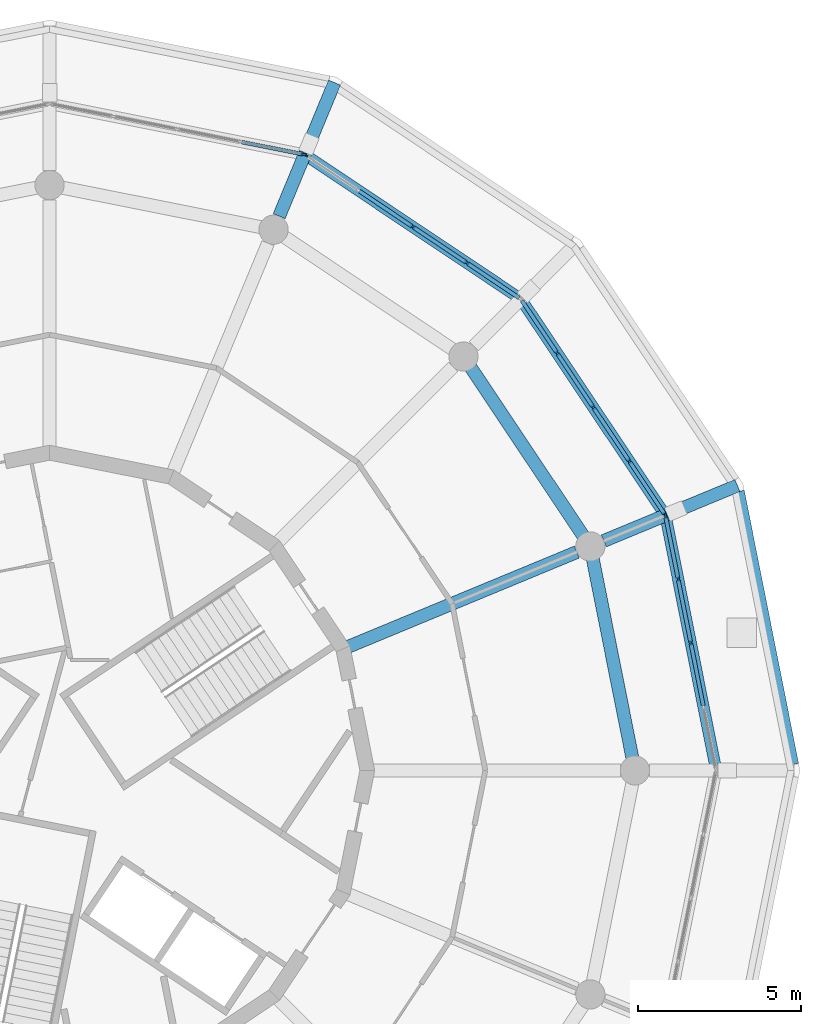
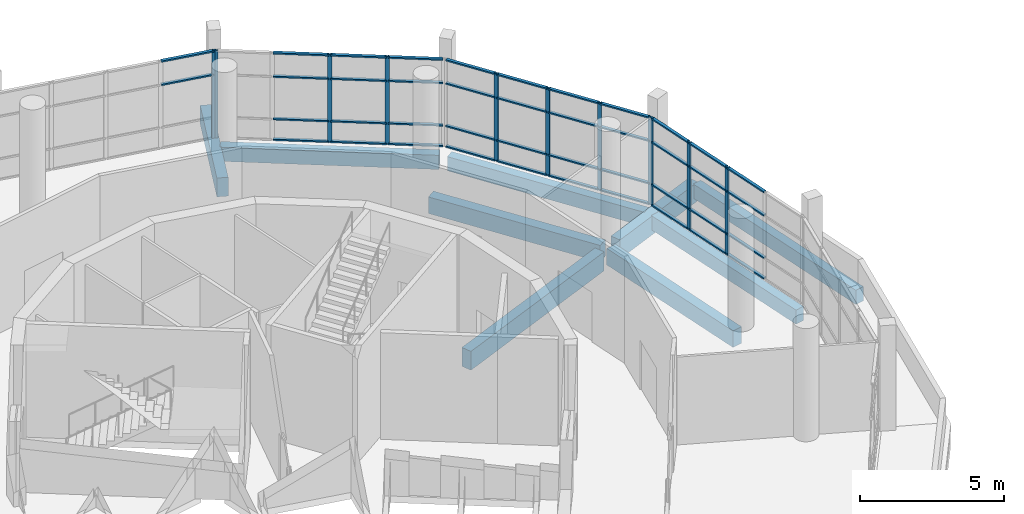
# One storey, part 10 of 21: 53 members, 9 beams, 4 elements without a shape of their own.
"""IFC4 building model written with IfcOpenShell, lengths in metres."""

from ifc_helpers import new_model, si_unit, direction, frame, origin, origin_2d, place, context, subcontext, project, spatial, rectangle, extrude, material, material_profile, profile_set, type_object, element, aggregate, save


model = new_model("IFC4")

# Units and contexts
model_context = context("Model", 3, precision=1e-05, world=origin(), true_north=direction((0.0, 1.0)))
body_context = subcontext(model_context, "Body", "Model", "MODEL_VIEW")
ifc_project = project(units=[si_unit("LENGTHUNIT", "METRE"), si_unit("AREAUNIT", "SQUARE_METRE"), si_unit("VOLUMEUNIT", "CUBIC_METRE"), si_unit("PLANEANGLEUNIT", "RADIAN"), si_unit("MASSUNIT", "GRAM", prefix="KILO")], contexts=[model_context])

# Site, building, storey
site_placement = place(None, origin())
site = spatial("IfcSite", under=ifc_project, at=site_placement, CompositionType="ELEMENT")
building_placement = place(site_placement, origin())
building = spatial("IfcBuilding", under=site, at=building_placement, Name="Ceibo Conservatory and Research Tower", CompositionType="ELEMENT")
storey_placement = place(building_placement, frame((0.0, 0.0, 15.60009765625)))
storey = spatial("IfcBuildingStorey", under=building, at=storey_placement, Name="L03", CompositionType="ELEMENT", Elevation=15.60009765625)

# Curtain wall, members
ifc_material_1 = material(Name="Aluminium and glass", Category="aluminium")
curtain_wall_type = type_object("IfcCurtainWallType", Name="Curtain wall CW1", PredefinedType="NOTDEFINED", material=ifc_material_1)
curtain_wall_1_placement = place(storey_placement, origin())
curtain_wall_1 = element("IfcCurtainWall", 1, at=curtain_wall_1_placement, inside=storey, type_object=curtain_wall_type, Name="CW-03.01", PredefinedType="NOTDEFINED")
ifc_material_2 = material(Name="Aluminium", Category="aluminium")
ifc_material_profile_1 = material_profile(ifc_material_2, rectangle(XDim=0.06005859375, YDim=0.159912109375, at=origin_2d()), Name="Aluminium 60 x 160")
ifc_profile_set_1 = profile_set([ifc_material_profile_1], Name="Aluminium")
member_type_1 = type_object("IfcMemberType", Name="Aluminium mullion 60 x 160", PredefinedType="MULLION", material=ifc_profile_set_1)
member_1_placement = place(storey_placement, frame((67.7197265625, 123.922607421875, 0.0), z_axis=(0.0, 0.0, 1.0), x_axis=(-0.980785268711, -0.195090380799, 0.0)))
member_1 = element("IfcMember", 2, at=member_1_placement, type_object=member_type_1, Name="CW-03.01 mullion 3", PredefinedType="MULLION", context=body_context, shape_type="SweptSolid", body=[
    extrude(rectangle(XDim=0.06005859375, YDim=0.159912109375, at=origin_2d()), origin(), (0.0, 0.0, 1.0), 3.719970703125),
])
member_2_placement = place(storey_placement, frame((67.32958984375, 125.8837890625, 0.0), z_axis=(0.0, 0.0, 1.0), x_axis=(-0.980785268711, -0.195090380799, 0.0)))
member_2 = element("IfcMember", 3, at=member_2_placement, type_object=member_type_1, Name="CW-03.01 mullion 4", PredefinedType="MULLION", context=body_context, shape_type="SweptSolid", body=[
    extrude(rectangle(XDim=0.06005859375, YDim=0.159912109375, at=origin_2d()), origin(), (0.0, 0.0, 1.0), 3.719970703125),
])
member_3_placement = place(storey_placement, frame((66.9453125, 127.815673828125, 0.0), z_axis=(0.0, 0.0, 1.0), x_axis=(-0.980785268711, -0.195090380799, 0.0)))
member_3 = element("IfcMember", 4, at=member_3_placement, type_object=member_type_1, Name="CW-03.01 mullion 5", PredefinedType="MULLION", context=body_context, shape_type="SweptSolid", body=[
    extrude(rectangle(XDim=0.06005859375, YDim=0.159912109375, at=origin_2d()), origin(), (0.0, 0.0, 1.0), 3.719970703125),
])

curtain_wall_2_placement = place(storey_placement, origin())
curtain_wall_2 = element("IfcCurtainWall", 5, at=curtain_wall_2_placement, inside=storey, type_object=curtain_wall_type, Name="CW-03.02", PredefinedType="NOTDEFINED")
member_4_placement = place(storey_placement, frame((66.9228515625, 127.869873046875, 0.0), z_axis=(0.0, 0.0, 1.0), x_axis=(-0.831469649004, -0.555570178092, 0.0)))
member_4 = element("IfcMember", 6, at=member_4_placement, type_object=member_type_1, Name="CW-03.02 mullion 1", PredefinedType="MULLION", context=body_context, shape_type="SweptSolid", body=[
    extrude(rectangle(XDim=0.06005859375, YDim=0.159912109375, at=origin_2d()), origin(), (0.0, 0.0, 1.0), 3.719970703125),
])
member_5_placement = place(storey_placement, frame((65.82861328125, 129.507568359375, 0.0), z_axis=(0.0, 0.0, 1.0), x_axis=(-0.831469649004, -0.555570178092, 0.0)))
member_5 = element("IfcMember", 7, at=member_5_placement, type_object=member_type_1, Name="CW-03.02 mullion 2", PredefinedType="MULLION", context=body_context, shape_type="SweptSolid", body=[
    extrude(rectangle(XDim=0.06005859375, YDim=0.159912109375, at=origin_2d()), origin(), (0.0, 0.0, 1.0), 3.719970703125),
])
member_6_placement = place(storey_placement, frame((64.717529296875, 131.17041015625, 0.0), z_axis=(0.0, 0.0, 1.0), x_axis=(-0.831469649004, -0.555570178092, 0.0)))
member_6 = element("IfcMember", 8, at=member_6_placement, type_object=member_type_1, Name="CW-03.02 mullion 3", PredefinedType="MULLION", context=body_context, shape_type="SweptSolid", body=[
    extrude(rectangle(XDim=0.06005859375, YDim=0.159912109375, at=origin_2d()), origin(), (0.0, 0.0, 1.0), 3.719970703125),
])
member_7_placement = place(storey_placement, frame((63.606689453125, 132.8330078125, 0.0), z_axis=(0.0, 0.0, 1.0), x_axis=(-0.831469649004, -0.555570178092, 0.0)))
member_7 = element("IfcMember", 9, at=member_7_placement, type_object=member_type_1, Name="CW-03.02 mullion 4", PredefinedType="MULLION", context=body_context, shape_type="SweptSolid", body=[
    extrude(rectangle(XDim=0.06005859375, YDim=0.159912109375, at=origin_2d()), origin(), (0.0, 0.0, 1.0), 3.719970703125),
])

curtain_wall_3_placement = place(storey_placement, origin())
curtain_wall_3 = element("IfcCurtainWall", 10, at=curtain_wall_3_placement, inside=storey, type_object=curtain_wall_type, Name="CW-03.03", PredefinedType="NOTDEFINED")
member_8_placement = place(storey_placement, frame((60.8330078125, 135.606689453125, 0.0), z_axis=(0.0, 0.0, 1.0), x_axis=(-0.555570178092, -0.831469649004, 0.0)))
member_8 = element("IfcMember", 11, at=member_8_placement, type_object=member_type_1, Name="CW-03.03 mullion 2", PredefinedType="MULLION", context=body_context, shape_type="SweptSolid", body=[
    extrude(rectangle(XDim=0.06005859375, YDim=0.159912109375, at=origin_2d()), origin(), (0.0, 0.0, 1.0), 3.719970703125),
])
member_9_placement = place(storey_placement, frame((59.17041015625, 136.717529296875, 0.0), z_axis=(0.0, 0.0, 1.0), x_axis=(-0.555570178092, -0.831469649004, 0.0)))
member_9 = element("IfcMember", 12, at=member_9_placement, type_object=member_type_1, Name="CW-03.03 mullion 3", PredefinedType="MULLION", context=body_context, shape_type="SweptSolid", body=[
    extrude(rectangle(XDim=0.06005859375, YDim=0.159912109375, at=origin_2d()), origin(), (0.0, 0.0, 1.0), 3.719970703125),
])
member_10_placement = place(storey_placement, frame((55.869873046875, 138.9228515625, 0.0), z_axis=(0.0, 0.0, 1.0), x_axis=(-0.555570178092, -0.831469649004, 0.0)))
member_10 = element("IfcMember", 13, at=member_10_placement, type_object=member_type_1, Name="CW-03.03 mullion 5", PredefinedType="MULLION", context=body_context, shape_type="SweptSolid", body=[
    extrude(rectangle(XDim=0.06005859375, YDim=0.159912109375, at=origin_2d()), origin(), (0.0, 0.0, 1.0), 3.719970703125),
])

# Curtain wall, member
curtain_wall_4_placement = place(storey_placement, origin())
curtain_wall_4 = element("IfcCurtainWall", 14, at=curtain_wall_4_placement, inside=storey, type_object=curtain_wall_type, Name="CW-03.04", PredefinedType="NOTDEFINED")
member_11_placement = place(storey_placement, frame((55.815673828125, 138.9453125, 0.0), z_axis=(0.0, 0.0, 1.0), x_axis=(-0.195090380799, -0.980785268711, 0.0)))
member_11 = element("IfcMember", 15, at=member_11_placement, type_object=member_type_1, Name="CW-03.04 mullion 1", PredefinedType="MULLION", context=body_context, shape_type="SweptSolid", body=[
    extrude(rectangle(XDim=0.06005859375, YDim=0.159912109375, at=origin_2d()), origin(), (0.0, 0.0, 1.0), 3.719970703125),
])

# Member
ifc_material_profile_2 = material_profile(ifc_material_2, rectangle(XDim=0.1201171875, YDim=0.06005859375, at=origin_2d()), Name="Aluminium 60 x 120")
ifc_profile_set_2 = profile_set([ifc_material_profile_2], Name="Aluminium")
member_type_2 = type_object("IfcMemberType", Name="Aluminium transom 60 x 120", PredefinedType="USERDEFINED", material=ifc_profile_set_2)
member_12_placement = place(storey_placement, frame((68.10400390625, 121.99072265625, 0.02978515625), z_axis=(-0.195099382826, 0.980783478053, 0.0), x_axis=(-0.980783478053, -0.195099382826, 0.0)))
member_12 = element("IfcMember", 16, at=member_12_placement, type_object=member_type_2, Name="CW-03.01 transom 2.1", ObjectType="TRANSOM", PredefinedType="USERDEFINED", context=body_context, shape_type="SweptSolid", body=[
    extrude(rectangle(XDim=0.1201171875, YDim=0.06005859375, at=origin_2d()), origin(), (0.0, 0.0, 1.0), 1.939697265625),
])

member_13_placement = place(storey_placement, frame((68.10400390625, 121.99072265625, 0.89990234375), z_axis=(-0.195099382826, 0.980783478053, 0.0), x_axis=(-0.980783478053, -0.195099382826, 0.0)))
member_13 = element("IfcMember", 17, at=member_13_placement, type_object=member_type_2, Name="CW-03.01 transom 2.2", ObjectType="TRANSOM", PredefinedType="USERDEFINED", context=body_context, shape_type="SweptSolid", body=[
    extrude(rectangle(XDim=0.1201171875, YDim=0.06005859375, at=origin_2d()), origin(), (0.0, 0.0, 1.0), 1.939697265625),
])

member_14_placement = place(storey_placement, frame((68.10400390625, 121.99072265625, 2.699951171875), z_axis=(-0.195099382826, 0.980783478053, 0.0), x_axis=(-0.980783478053, -0.195099382826, 0.0)))
member_14 = element("IfcMember", 18, at=member_14_placement, type_object=member_type_2, Name="CW-03.01 transom 2.3", ObjectType="TRANSOM", PredefinedType="USERDEFINED", context=body_context, shape_type="SweptSolid", body=[
    extrude(rectangle(XDim=0.1201171875, YDim=0.06005859375, at=origin_2d()), origin(), (0.0, 0.0, 1.0), 1.939697265625),
])

member_15_placement = place(storey_placement, frame((68.10400390625, 121.99072265625, 3.68994140625), z_axis=(-0.195099382826, 0.980783478053, 0.0), x_axis=(-0.980783478053, -0.195099382826, 0.0)))
member_15 = element("IfcMember", 19, at=member_15_placement, type_object=member_type_2, Name="CW-03.01 transom 2.4", ObjectType="TRANSOM", PredefinedType="USERDEFINED", context=body_context, shape_type="SweptSolid", body=[
    extrude(rectangle(XDim=0.1201171875, YDim=0.06005859375, at=origin_2d()), origin(), (0.0, 0.0, 1.0), 1.939697265625),
])

member_16_placement = place(storey_placement, frame((67.7138671875, 123.951904296875, 0.02978515625), z_axis=(-0.195099382826, 0.980783478053, 0.0), x_axis=(-0.980783478053, -0.195099382826, 0.0)))
member_16 = element("IfcMember", 20, at=member_16_placement, type_object=member_type_2, Name="CW-03.01 transom 3.1", ObjectType="TRANSOM", PredefinedType="USERDEFINED", context=body_context, shape_type="SweptSolid", body=[
    extrude(rectangle(XDim=0.1201171875, YDim=0.06005859375, at=origin_2d()), origin(), (0.0, 0.0, 1.0), 1.939697265625),
])

member_17_placement = place(storey_placement, frame((67.7138671875, 123.951904296875, 0.89990234375), z_axis=(-0.195099382826, 0.980783478053, 0.0), x_axis=(-0.980783478053, -0.195099382826, 0.0)))
member_17 = element("IfcMember", 21, at=member_17_placement, type_object=member_type_2, Name="CW-03.01 transom 3.2", ObjectType="TRANSOM", PredefinedType="USERDEFINED", context=body_context, shape_type="SweptSolid", body=[
    extrude(rectangle(XDim=0.1201171875, YDim=0.06005859375, at=origin_2d()), origin(), (0.0, 0.0, 1.0), 1.939697265625),
])

member_18_placement = place(storey_placement, frame((67.7138671875, 123.951904296875, 2.699951171875), z_axis=(-0.195099382826, 0.980783478053, 0.0), x_axis=(-0.980783478053, -0.195099382826, 0.0)))
member_18 = element("IfcMember", 22, at=member_18_placement, type_object=member_type_2, Name="CW-03.01 transom 3.3", ObjectType="TRANSOM", PredefinedType="USERDEFINED", context=body_context, shape_type="SweptSolid", body=[
    extrude(rectangle(XDim=0.1201171875, YDim=0.06005859375, at=origin_2d()), origin(), (0.0, 0.0, 1.0), 1.939697265625),
])

member_19_placement = place(storey_placement, frame((67.7138671875, 123.951904296875, 3.68994140625), z_axis=(-0.195099382826, 0.980783478053, 0.0), x_axis=(-0.980783478053, -0.195099382826, 0.0)))
member_19 = element("IfcMember", 23, at=member_19_placement, type_object=member_type_2, Name="CW-03.01 transom 3.4", ObjectType="TRANSOM", PredefinedType="USERDEFINED", context=body_context, shape_type="SweptSolid", body=[
    extrude(rectangle(XDim=0.1201171875, YDim=0.06005859375, at=origin_2d()), origin(), (0.0, 0.0, 1.0), 1.939697265625),
])

member_20_placement = place(storey_placement, frame((67.32373046875, 125.9130859375, 0.02978515625), z_axis=(-0.195083474499, 0.980786642434, 0.0), x_axis=(-0.980786642434, -0.195083474499, 0.0)))
member_20 = element("IfcMember", 24, at=member_20_placement, type_object=member_type_2, Name="CW-03.01 transom 4.1", ObjectType="TRANSOM", PredefinedType="USERDEFINED", context=body_context, shape_type="SweptSolid", body=[
    extrude(rectangle(XDim=0.1201171875, YDim=0.06005859375, at=origin_2d()), origin(), (0.0, 0.0, 1.0), 1.90966796875),
])

member_21_placement = place(storey_placement, frame((67.32373046875, 125.9130859375, 0.89990234375), z_axis=(-0.195083474499, 0.980786642434, 0.0), x_axis=(-0.980786642434, -0.195083474499, 0.0)))
member_21 = element("IfcMember", 25, at=member_21_placement, type_object=member_type_2, Name="CW-03.01 transom 4.2", ObjectType="TRANSOM", PredefinedType="USERDEFINED", context=body_context, shape_type="SweptSolid", body=[
    extrude(rectangle(XDim=0.1201171875, YDim=0.06005859375, at=origin_2d()), origin(), (0.0, 0.0, 1.0), 1.90966796875),
])

member_22_placement = place(storey_placement, frame((67.32373046875, 125.9130859375, 2.699951171875), z_axis=(-0.195083474499, 0.980786642434, 0.0), x_axis=(-0.980786642434, -0.195083474499, 0.0)))
member_22 = element("IfcMember", 26, at=member_22_placement, type_object=member_type_2, Name="CW-03.01 transom 4.3", ObjectType="TRANSOM", PredefinedType="USERDEFINED", context=body_context, shape_type="SweptSolid", body=[
    extrude(rectangle(XDim=0.1201171875, YDim=0.06005859375, at=origin_2d()), origin(), (0.0, 0.0, 1.0), 1.90966796875),
])

member_23_placement = place(storey_placement, frame((67.32373046875, 125.9130859375, 3.68994140625), z_axis=(-0.195083474499, 0.980786642434, 0.0), x_axis=(-0.980786642434, -0.195083474499, 0.0)))
member_23 = element("IfcMember", 27, at=member_23_placement, type_object=member_type_2, Name="CW-03.01 transom 4.4", ObjectType="TRANSOM", PredefinedType="USERDEFINED", context=body_context, shape_type="SweptSolid", body=[
    extrude(rectangle(XDim=0.1201171875, YDim=0.06005859375, at=origin_2d()), origin(), (0.0, 0.0, 1.0), 1.90966796875),
])

aggregate(curtain_wall_1, [member_1, member_2, member_3, member_12, member_13, member_14, member_15, member_16, member_17, member_18, member_19, member_20, member_21, member_22, member_23])

member_24_placement = place(storey_placement, frame((66.90625, 127.89501953125, 0.02978515625), z_axis=(-0.555643975577, 0.831420334371, 0.0), x_axis=(-0.831420334371, -0.555643975577, 0.0)))
member_24 = element("IfcMember", 28, at=member_24_placement, type_object=member_type_2, Name="CW-03.02 transom 1.1", ObjectType="TRANSOM", PredefinedType="USERDEFINED", context=body_context, shape_type="SweptSolid", body=[
    extrude(rectangle(XDim=0.1201171875, YDim=0.06005859375, at=origin_2d()), origin(), (0.0, 0.0, 1.0), 1.90966796875),
])

member_25_placement = place(storey_placement, frame((66.90625, 127.89501953125, 0.89990234375), z_axis=(-0.555643975577, 0.831420334371, 0.0), x_axis=(-0.831420334371, -0.555643975577, 0.0)))
member_25 = element("IfcMember", 29, at=member_25_placement, type_object=member_type_2, Name="CW-03.02 transom 1.2", ObjectType="TRANSOM", PredefinedType="USERDEFINED", context=body_context, shape_type="SweptSolid", body=[
    extrude(rectangle(XDim=0.1201171875, YDim=0.06005859375, at=origin_2d()), origin(), (0.0, 0.0, 1.0), 1.90966796875),
])

member_26_placement = place(storey_placement, frame((66.90625, 127.89501953125, 2.699951171875), z_axis=(-0.555643975577, 0.831420334371, 0.0), x_axis=(-0.831420334371, -0.555643975577, 0.0)))
member_26 = element("IfcMember", 30, at=member_26_placement, type_object=member_type_2, Name="CW-03.02 transom 1.3", ObjectType="TRANSOM", PredefinedType="USERDEFINED", context=body_context, shape_type="SweptSolid", body=[
    extrude(rectangle(XDim=0.1201171875, YDim=0.06005859375, at=origin_2d()), origin(), (0.0, 0.0, 1.0), 1.90966796875),
])

member_27_placement = place(storey_placement, frame((66.90625, 127.89501953125, 3.68994140625), z_axis=(-0.555643975577, 0.831420334371, 0.0), x_axis=(-0.831420334371, -0.555643975577, 0.0)))
member_27 = element("IfcMember", 31, at=member_27_placement, type_object=member_type_2, Name="CW-03.02 transom 1.4", ObjectType="TRANSOM", PredefinedType="USERDEFINED", context=body_context, shape_type="SweptSolid", body=[
    extrude(rectangle(XDim=0.1201171875, YDim=0.06005859375, at=origin_2d()), origin(), (0.0, 0.0, 1.0), 1.90966796875),
])

member_28_placement = place(storey_placement, frame((65.81201171875, 129.53271484375, 0.02978515625), z_axis=(-0.55557127007, 0.831468919367, 0.0), x_axis=(-0.831468919367, -0.55557127007, 0.0)))
member_28 = element("IfcMember", 32, at=member_28_placement, type_object=member_type_2, Name="CW-03.02 transom 2.1", ObjectType="TRANSOM", PredefinedType="USERDEFINED", context=body_context, shape_type="SweptSolid", body=[
    extrude(rectangle(XDim=0.1201171875, YDim=0.06005859375, at=origin_2d()), origin(), (0.0, 0.0, 1.0), 1.939697265625),
])

member_29_placement = place(storey_placement, frame((65.81201171875, 129.53271484375, 0.89990234375), z_axis=(-0.55557127007, 0.831468919367, 0.0), x_axis=(-0.831468919367, -0.55557127007, 0.0)))
member_29 = element("IfcMember", 33, at=member_29_placement, type_object=member_type_2, Name="CW-03.02 transom 2.2", ObjectType="TRANSOM", PredefinedType="USERDEFINED", context=body_context, shape_type="SweptSolid", body=[
    extrude(rectangle(XDim=0.1201171875, YDim=0.06005859375, at=origin_2d()), origin(), (0.0, 0.0, 1.0), 1.939697265625),
])

member_30_placement = place(storey_placement, frame((65.81201171875, 129.53271484375, 2.699951171875), z_axis=(-0.55557127007, 0.831468919367, 0.0), x_axis=(-0.831468919367, -0.55557127007, 0.0)))
member_30 = element("IfcMember", 34, at=member_30_placement, type_object=member_type_2, Name="CW-03.02 transom 2.3", ObjectType="TRANSOM", PredefinedType="USERDEFINED", context=body_context, shape_type="SweptSolid", body=[
    extrude(rectangle(XDim=0.1201171875, YDim=0.06005859375, at=origin_2d()), origin(), (0.0, 0.0, 1.0), 1.939697265625),
])

member_31_placement = place(storey_placement, frame((65.81201171875, 129.53271484375, 3.68994140625), z_axis=(-0.55557127007, 0.831468919367, 0.0), x_axis=(-0.831468919367, -0.55557127007, 0.0)))
member_31 = element("IfcMember", 35, at=member_31_placement, type_object=member_type_2, Name="CW-03.02 transom 2.4", ObjectType="TRANSOM", PredefinedType="USERDEFINED", context=body_context, shape_type="SweptSolid", body=[
    extrude(rectangle(XDim=0.1201171875, YDim=0.06005859375, at=origin_2d()), origin(), (0.0, 0.0, 1.0), 1.939697265625),
])

member_32_placement = place(storey_placement, frame((64.700927734375, 131.1953125, 0.02978515625), z_axis=(-0.55557127007, 0.831468919367, 0.0), x_axis=(-0.831468919367, -0.55557127007, 0.0)))
member_32 = element("IfcMember", 36, at=member_32_placement, type_object=member_type_2, Name="CW-03.02 transom 3.1", ObjectType="TRANSOM", PredefinedType="USERDEFINED", context=body_context, shape_type="SweptSolid", body=[
    extrude(rectangle(XDim=0.1201171875, YDim=0.06005859375, at=origin_2d()), origin(), (0.0, 0.0, 1.0), 1.939697265625),
])

member_33_placement = place(storey_placement, frame((64.700927734375, 131.1953125, 0.89990234375), z_axis=(-0.55557127007, 0.831468919367, 0.0), x_axis=(-0.831468919367, -0.55557127007, 0.0)))
member_33 = element("IfcMember", 37, at=member_33_placement, type_object=member_type_2, Name="CW-03.02 transom 3.2", ObjectType="TRANSOM", PredefinedType="USERDEFINED", context=body_context, shape_type="SweptSolid", body=[
    extrude(rectangle(XDim=0.1201171875, YDim=0.06005859375, at=origin_2d()), origin(), (0.0, 0.0, 1.0), 1.939697265625),
])

member_34_placement = place(storey_placement, frame((64.700927734375, 131.1953125, 2.699951171875), z_axis=(-0.55557127007, 0.831468919367, 0.0), x_axis=(-0.831468919367, -0.55557127007, 0.0)))
member_34 = element("IfcMember", 38, at=member_34_placement, type_object=member_type_2, Name="CW-03.02 transom 3.3", ObjectType="TRANSOM", PredefinedType="USERDEFINED", context=body_context, shape_type="SweptSolid", body=[
    extrude(rectangle(XDim=0.1201171875, YDim=0.06005859375, at=origin_2d()), origin(), (0.0, 0.0, 1.0), 1.939697265625),
])

member_35_placement = place(storey_placement, frame((64.700927734375, 131.1953125, 3.68994140625), z_axis=(-0.55557127007, 0.831468919367, 0.0), x_axis=(-0.831468919367, -0.55557127007, 0.0)))
member_35 = element("IfcMember", 39, at=member_35_placement, type_object=member_type_2, Name="CW-03.02 transom 3.4", ObjectType="TRANSOM", PredefinedType="USERDEFINED", context=body_context, shape_type="SweptSolid", body=[
    extrude(rectangle(XDim=0.1201171875, YDim=0.06005859375, at=origin_2d()), origin(), (0.0, 0.0, 1.0), 1.939697265625),
])

member_36_placement = place(storey_placement, frame((63.590087890625, 132.85791015625, 0.02978515625), z_axis=(-0.555584916278, 0.831459801075, 0.0), x_axis=(-0.831459801075, -0.555584916278, 0.0)))
member_36 = element("IfcMember", 40, at=member_36_placement, type_object=member_type_2, Name="CW-03.02 transom 4.1", ObjectType="TRANSOM", PredefinedType="USERDEFINED", context=body_context, shape_type="SweptSolid", body=[
    extrude(rectangle(XDim=0.1201171875, YDim=0.06005859375, at=origin_2d()), origin(), (0.0, 0.0, 1.0), 1.90966796875),
])

member_37_placement = place(storey_placement, frame((63.590087890625, 132.85791015625, 0.89990234375), z_axis=(-0.555584916278, 0.831459801075, 0.0), x_axis=(-0.831459801075, -0.555584916278, 0.0)))
member_37 = element("IfcMember", 41, at=member_37_placement, type_object=member_type_2, Name="CW-03.02 transom 4.2", ObjectType="TRANSOM", PredefinedType="USERDEFINED", context=body_context, shape_type="SweptSolid", body=[
    extrude(rectangle(XDim=0.1201171875, YDim=0.06005859375, at=origin_2d()), origin(), (0.0, 0.0, 1.0), 1.90966796875),
])

member_38_placement = place(storey_placement, frame((63.590087890625, 132.85791015625, 2.699951171875), z_axis=(-0.555584916278, 0.831459801075, 0.0), x_axis=(-0.831459801075, -0.555584916278, 0.0)))
member_38 = element("IfcMember", 42, at=member_38_placement, type_object=member_type_2, Name="CW-03.02 transom 4.3", ObjectType="TRANSOM", PredefinedType="USERDEFINED", context=body_context, shape_type="SweptSolid", body=[
    extrude(rectangle(XDim=0.1201171875, YDim=0.06005859375, at=origin_2d()), origin(), (0.0, 0.0, 1.0), 1.90966796875),
])

member_39_placement = place(storey_placement, frame((63.590087890625, 132.85791015625, 3.68994140625), z_axis=(-0.555584916278, 0.831459801075, 0.0), x_axis=(-0.831459801075, -0.555584916278, 0.0)))
member_39 = element("IfcMember", 43, at=member_39_placement, type_object=member_type_2, Name="CW-03.02 transom 4.4", ObjectType="TRANSOM", PredefinedType="USERDEFINED", context=body_context, shape_type="SweptSolid", body=[
    extrude(rectangle(XDim=0.1201171875, YDim=0.06005859375, at=origin_2d()), origin(), (0.0, 0.0, 1.0), 1.90966796875),
])

aggregate(curtain_wall_2, [member_4, member_5, member_6, member_7, member_24, member_25, member_26, member_27, member_28, member_29, member_30, member_31, member_32, member_33, member_34, member_35, member_36, member_37, member_38, member_39])

member_40_placement = place(storey_placement, frame((62.44580078125, 134.529052734375, 0.02978515625), z_axis=(-0.831459801075, 0.555584916278, 0.0), x_axis=(-0.555584916278, -0.831459801075, 0.0)))
member_40 = element("IfcMember", 44, at=member_40_placement, type_object=member_type_2, Name="CW-03.03 transom 1.1", ObjectType="TRANSOM", PredefinedType="USERDEFINED", context=body_context, shape_type="SweptSolid", body=[
    extrude(rectangle(XDim=0.1201171875, YDim=0.06005859375, at=origin_2d()), origin(), (0.0, 0.0, 1.0), 1.90966796875),
])

member_41_placement = place(storey_placement, frame((62.44580078125, 134.529052734375, 0.89990234375), z_axis=(-0.831459801075, 0.555584916278, 0.0), x_axis=(-0.555584916278, -0.831459801075, 0.0)))
member_41 = element("IfcMember", 45, at=member_41_placement, type_object=member_type_2, Name="CW-03.03 transom 1.2", ObjectType="TRANSOM", PredefinedType="USERDEFINED", context=body_context, shape_type="SweptSolid", body=[
    extrude(rectangle(XDim=0.1201171875, YDim=0.06005859375, at=origin_2d()), origin(), (0.0, 0.0, 1.0), 1.90966796875),
])

member_42_placement = place(storey_placement, frame((62.44580078125, 134.529052734375, 2.699951171875), z_axis=(-0.831459801075, 0.555584916278, 0.0), x_axis=(-0.555584916278, -0.831459801075, 0.0)))
member_42 = element("IfcMember", 46, at=member_42_placement, type_object=member_type_2, Name="CW-03.03 transom 1.3", ObjectType="TRANSOM", PredefinedType="USERDEFINED", context=body_context, shape_type="SweptSolid", body=[
    extrude(rectangle(XDim=0.1201171875, YDim=0.06005859375, at=origin_2d()), origin(), (0.0, 0.0, 1.0), 1.90966796875),
])

member_43_placement = place(storey_placement, frame((62.44580078125, 134.529052734375, 3.68994140625), z_axis=(-0.831459801075, 0.555584916278, 0.0), x_axis=(-0.555584916278, -0.831459801075, 0.0)))
member_43 = element("IfcMember", 47, at=member_43_placement, type_object=member_type_2, Name="CW-03.03 transom 1.4", ObjectType="TRANSOM", PredefinedType="USERDEFINED", context=body_context, shape_type="SweptSolid", body=[
    extrude(rectangle(XDim=0.1201171875, YDim=0.06005859375, at=origin_2d()), origin(), (0.0, 0.0, 1.0), 1.90966796875),
])

member_44_placement = place(storey_placement, frame((60.80810546875, 135.623291015625, 0.02978515625), z_axis=(-0.831468919367, 0.55557127007, 0.0), x_axis=(-0.55557127007, -0.831468919367, 0.0)))
member_44 = element("IfcMember", 48, at=member_44_placement, type_object=member_type_2, Name="CW-03.03 transom 2.1", ObjectType="TRANSOM", PredefinedType="USERDEFINED", context=body_context, shape_type="SweptSolid", body=[
    extrude(rectangle(XDim=0.1201171875, YDim=0.06005859375, at=origin_2d()), origin(), (0.0, 0.0, 1.0), 1.939697265625),
])

member_45_placement = place(storey_placement, frame((60.80810546875, 135.623291015625, 0.89990234375), z_axis=(-0.831468919367, 0.55557127007, 0.0), x_axis=(-0.55557127007, -0.831468919367, 0.0)))
member_45 = element("IfcMember", 49, at=member_45_placement, type_object=member_type_2, Name="CW-03.03 transom 2.2", ObjectType="TRANSOM", PredefinedType="USERDEFINED", context=body_context, shape_type="SweptSolid", body=[
    extrude(rectangle(XDim=0.1201171875, YDim=0.06005859375, at=origin_2d()), origin(), (0.0, 0.0, 1.0), 1.939697265625),
])

member_46_placement = place(storey_placement, frame((60.80810546875, 135.623291015625, 2.699951171875), z_axis=(-0.831468919367, 0.55557127007, 0.0), x_axis=(-0.55557127007, -0.831468919367, 0.0)))
member_46 = element("IfcMember", 50, at=member_46_placement, type_object=member_type_2, Name="CW-03.03 transom 2.3", ObjectType="TRANSOM", PredefinedType="USERDEFINED", context=body_context, shape_type="SweptSolid", body=[
    extrude(rectangle(XDim=0.1201171875, YDim=0.06005859375, at=origin_2d()), origin(), (0.0, 0.0, 1.0), 1.939697265625),
])

member_47_placement = place(storey_placement, frame((60.80810546875, 135.623291015625, 3.68994140625), z_axis=(-0.831468919367, 0.55557127007, 0.0), x_axis=(-0.55557127007, -0.831468919367, 0.0)))
member_47 = element("IfcMember", 51, at=member_47_placement, type_object=member_type_2, Name="CW-03.03 transom 2.4", ObjectType="TRANSOM", PredefinedType="USERDEFINED", context=body_context, shape_type="SweptSolid", body=[
    extrude(rectangle(XDim=0.1201171875, YDim=0.06005859375, at=origin_2d()), origin(), (0.0, 0.0, 1.0), 1.939697265625),
])

member_48_placement = place(storey_placement, frame((59.1455078125, 136.734375, 0.02978515625), z_axis=(-0.831468919367, 0.55557127007, 0.0), x_axis=(-0.55557127007, -0.831468919367, 0.0)))
member_48 = element("IfcMember", 52, at=member_48_placement, type_object=member_type_2, Name="CW-03.03 transom 3.1", ObjectType="TRANSOM", PredefinedType="USERDEFINED", context=body_context, shape_type="SweptSolid", body=[
    extrude(rectangle(XDim=0.1201171875, YDim=0.06005859375, at=origin_2d()), origin(), (0.0, 0.0, 1.0), 1.939697265625),
])

member_49_placement = place(storey_placement, frame((59.1455078125, 136.734375, 0.89990234375), z_axis=(-0.831468919367, 0.55557127007, 0.0), x_axis=(-0.55557127007, -0.831468919367, 0.0)))
member_49 = element("IfcMember", 53, at=member_49_placement, type_object=member_type_2, Name="CW-03.03 transom 3.2", ObjectType="TRANSOM", PredefinedType="USERDEFINED", context=body_context, shape_type="SweptSolid", body=[
    extrude(rectangle(XDim=0.1201171875, YDim=0.06005859375, at=origin_2d()), origin(), (0.0, 0.0, 1.0), 1.939697265625),
])

member_50_placement = place(storey_placement, frame((59.1455078125, 136.734375, 2.699951171875), z_axis=(-0.831468919367, 0.55557127007, 0.0), x_axis=(-0.55557127007, -0.831468919367, 0.0)))
member_50 = element("IfcMember", 54, at=member_50_placement, type_object=member_type_2, Name="CW-03.03 transom 3.3", ObjectType="TRANSOM", PredefinedType="USERDEFINED", context=body_context, shape_type="SweptSolid", body=[
    extrude(rectangle(XDim=0.1201171875, YDim=0.06005859375, at=origin_2d()), origin(), (0.0, 0.0, 1.0), 1.939697265625),
])

member_51_placement = place(storey_placement, frame((59.1455078125, 136.734375, 3.68994140625), z_axis=(-0.831468919367, 0.55557127007, 0.0), x_axis=(-0.55557127007, -0.831468919367, 0.0)))
member_51 = element("IfcMember", 55, at=member_51_placement, type_object=member_type_2, Name="CW-03.03 transom 3.4", ObjectType="TRANSOM", PredefinedType="USERDEFINED", context=body_context, shape_type="SweptSolid", body=[
    extrude(rectangle(XDim=0.1201171875, YDim=0.06005859375, at=origin_2d()), origin(), (0.0, 0.0, 1.0), 1.939697265625),
])

aggregate(curtain_wall_3, [member_8, member_9, member_10, member_40, member_41, member_42, member_43, member_44, member_45, member_46, member_47, member_48, member_49, member_50, member_51])

member_52_placement = place(storey_placement, frame((55.7861328125, 138.951171875, 2.699951171875), z_axis=(-0.980786642434, 0.195083474499, 0.0), x_axis=(-0.195083474499, -0.980786642434, 0.0)))
member_52 = element("IfcMember", 56, at=member_52_placement, type_object=member_type_2, Name="CW-03.04 transom 1.3", ObjectType="TRANSOM", PredefinedType="USERDEFINED", context=body_context, shape_type="SweptSolid", body=[
    extrude(rectangle(XDim=0.1201171875, YDim=0.06005859375, at=origin_2d()), origin(), (0.0, 0.0, 1.0), 1.90966796875),
])

member_53_placement = place(storey_placement, frame((55.7861328125, 138.951171875, 3.68994140625), z_axis=(-0.980786642434, 0.195083474499, 0.0), x_axis=(-0.195083474499, -0.980786642434, 0.0)))
member_53 = element("IfcMember", 57, at=member_53_placement, type_object=member_type_2, Name="CW-03.04 transom 1.4", ObjectType="TRANSOM", PredefinedType="USERDEFINED", context=body_context, shape_type="SweptSolid", body=[
    extrude(rectangle(XDim=0.1201171875, YDim=0.06005859375, at=origin_2d()), origin(), (0.0, 0.0, 1.0), 1.90966796875),
])

aggregate(curtain_wall_4, [member_11, member_52, member_53])

# Beams
ifc_material_3 = material(Name="Concrete C35/45", Category="concrete")
ifc_material_profile_3 = material_profile(ifc_material_3, rectangle(XDim=0.35009765625, YDim=0.60009765625, at=origin_2d()), Name="RC 350x600")
ifc_profile_set_3 = profile_set([ifc_material_profile_3], Name="Concrete C35/45")
beam_type_1 = type_object("IfcBeamType", Name="RC beam 350x600 C35", PredefinedType="BEAM", material=ifc_profile_set_3)
for number, where, z_axis, x_axis, name in (
    (58, (68.464111328125, 120.180419921875, -0.580078125), (-0.195100828433, 0.980783190489, 0.0), (-0.980783190489, -0.195100828433, 0.0), "Edge beam 01 L03"),
    (59, (66.83740234375, 127.998046875, -0.580078125), (-0.555578495676, 0.831464091312, 0.0), (-0.831464091312, -0.555578495676, 0.0), "Edge beam 02 L03"),
    (60, (62.3427734375, 134.597900390625, -0.580078125), (-0.831464091312, 0.555578495676, 0.0), (-0.555578495676, -0.831464091312, 0.0), "Edge beam 03 L03"),
):
    element("IfcBeam", number, at=place(storey_placement, frame(where, z_axis=z_axis, x_axis=x_axis)), inside=storey, type_object=beam_type_1, Name=name, PredefinedType="BEAM", context=body_context, shape_type="SweptSolid", body=[
        extrude(rectangle(XDim=0.35009765625, YDim=0.60009765625, at=origin_2d()), origin(), (0.0, 0.0, 1.0), 7.630859375),
    ])
beam_1_placement = place(storey_placement, frame((70.864013671875, 120.180419921875, -0.580078125), z_axis=(-0.195091228051, 0.980785100181, 0.0), x_axis=(-0.980785100181, -0.195091228051, 0.0)))
element("IfcBeam", 61, at=beam_1_placement, inside=storey, type_object=beam_type_1, Name="Edge beam 01 L03", PredefinedType="BEAM", context=body_context, shape_type="SweptSolid", body=[
    extrude(rectangle(XDim=0.35009765625, YDim=0.60009765625, at=origin_2d()), origin(), (0.0, 0.0, 1.0), 8.567138671875),
])
ifc_material_profile_4 = material_profile(ifc_material_3, rectangle(XDim=0.39990234375, YDim=0.699951171875, at=origin_2d()), Name="RC 400x700")
ifc_profile_set_4 = profile_set([ifc_material_profile_4], Name="Concrete C35/45")
beam_type_2 = type_object("IfcBeamType", Name="RC beam 400x700 C35", PredefinedType="BEAM", material=ifc_profile_set_4)
beam_2_placement = place(storey_placement, frame((65.964111328125, 120.180419921875, -0.630126953125), z_axis=(-0.19507903146, 0.980787526167, 0.0), x_axis=(-0.980787526167, -0.19507903146, 0.0)))
element("IfcBeam", 62, at=beam_2_placement, inside=storey, type_object=beam_type_2, Name="Ring beam 01 L03", PredefinedType="BEAM", context=body_context, shape_type="SweptSolid", body=[
    extrude(rectangle(XDim=0.39990234375, YDim=0.699951171875, at=origin_2d()), origin(), (0.0, 0.0, 1.0), 6.655517578125),
])
beam_3_placement = place(storey_placement, frame((64.527587890625, 127.041259765625, -0.630126953125), z_axis=(-0.555571830572, 0.83146854485, 0.0), x_axis=(-0.83146854485, -0.555571830572, 0.0)))
element("IfcBeam", 63, at=beam_3_placement, inside=storey, type_object=beam_type_2, Name="Ring beam 02 L03", PredefinedType="BEAM", context=body_context, shape_type="SweptSolid", body=[
    extrude(rectangle(XDim=0.39990234375, YDim=0.699951171875, at=origin_2d()), origin(), (0.0, 0.0, 1.0), 6.6552734375),
])
ifc_material_profile_5 = material_profile(ifc_material_3, rectangle(XDim=0.39990234375, YDim=0.800048828125, at=origin_2d()), Name="RC 400x800")
ifc_profile_set_5 = profile_set([ifc_material_profile_5], Name="Concrete C35/45")
beam_type_3 = type_object("IfcBeamType", Name="RC beam 400x800 C35", PredefinedType="BEAM", material=ifc_profile_set_5)
beam_4_placement = place(storey_placement, frame((57.192626953125, 123.8076171875, -0.68017578125), z_axis=(0.923877057182, 0.382689408283, 0.0), x_axis=(-0.382689408283, 0.923877057182, 0.0)))
element("IfcBeam", 64, at=beam_4_placement, inside=storey, type_object=beam_type_3, Name="Radial beam R2 L03", PredefinedType="BEAM", context=body_context, shape_type="SweptSolid", body=[
    extrude(rectangle(XDim=0.39990234375, YDim=0.800048828125, at=origin_2d()), origin(), (0.0, 0.0, 1.0), 7.60009765625),
])
ifc_material_profile_6 = material_profile(ifc_material_3, rectangle(XDim=0.39990234375, YDim=0.800048828125, at=origin_2d()), Name="RC 400x800")
ifc_profile_set_6 = profile_set([ifc_material_profile_6], Name="Concrete C35/45")
beam_type_4 = type_object("IfcBeamType", Name="RC cantilever beam 400x800 C35", PredefinedType="BEAM", material=ifc_profile_set_6)
for number, where, z_axis, x_axis, name in (
    (65, (65.045654296875, 127.060546875, -0.68017578125), (0.92388897624, 0.382660632392, 0.0), (-0.382660632392, 0.92388897624, 0.0), "Radial cantilever beam R2 L03"),
    (66, (55.060546875, 137.045654296875, -0.68017578125), (0.382660632392, 0.92388897624, 0.0), (-0.92388897624, 0.382660632392, 0.0), "Radial cantilever beam R4 L03"),
):
    element("IfcBeam", number, at=place(storey_placement, frame(where, z_axis=z_axis, x_axis=x_axis)), inside=storey, type_object=beam_type_4, Name=name, PredefinedType="BEAM", context=body_context, shape_type="SweptSolid", body=[
        extrude(rectangle(XDim=0.39990234375, YDim=0.800048828125, at=origin_2d()), origin(), (0.0, 0.0, 1.0), 4.445068359375),
    ])

save(model, "model.ifc")
